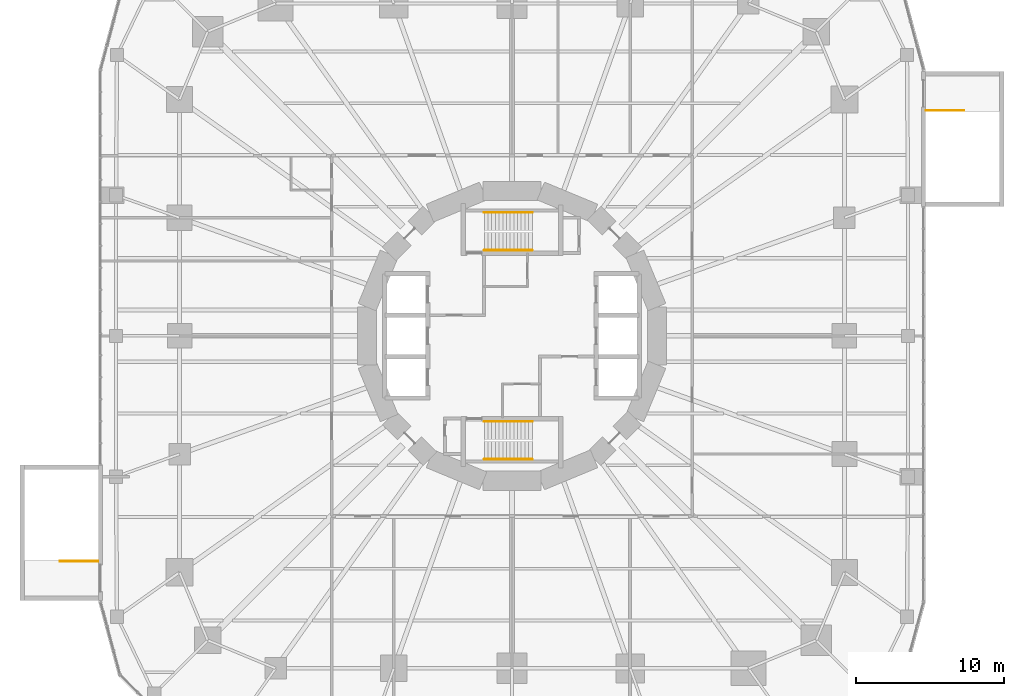
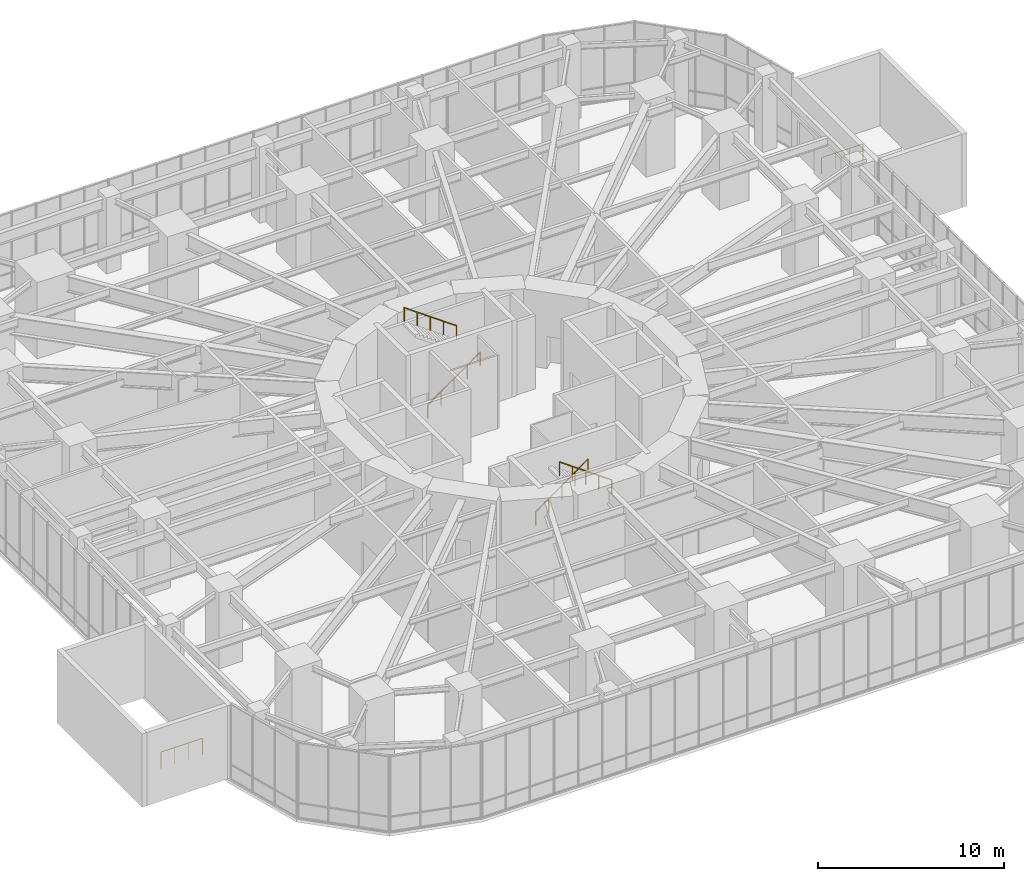
# One storey, part 24 of 24: 6 railings.
"""IFC4 building model written with IfcOpenShell, lengths in metres."""

from ifc_helpers import new_model, si_unit, direction, frame, origin, origin_2d, place, context, subcontext, project, spatial, circle, extrude, material, type_object, element, save


model = new_model("IFC4")

# Units and contexts
model_context = context("Model", 3, precision=1e-05, world=origin(), true_north=direction((0.0, 1.0)))
body_context = subcontext(model_context, "Body", "Model", "MODEL_VIEW")
ifc_project = project(units=[si_unit("LENGTHUNIT", "METRE"), si_unit("AREAUNIT", "SQUARE_METRE"), si_unit("VOLUMEUNIT", "CUBIC_METRE"), si_unit("PLANEANGLEUNIT", "RADIAN"), si_unit("MASSUNIT", "GRAM", prefix="KILO")], contexts=[model_context])

# Site, building, storey
site_placement = place(None, origin())
site = spatial("IfcSite", under=ifc_project, at=site_placement, CompositionType="ELEMENT")
building_placement = place(site_placement, origin())
building = spatial("IfcBuilding", under=site, at=building_placement, Name="Nakasero Lantern House", CompositionType="ELEMENT")
storey_placement = place(building_placement, frame((0.0, 0.0, 11.0)))
storey = spatial("IfcBuildingStorey", under=building, at=storey_placement, Name="L02", CompositionType="ELEMENT", Elevation=11.0)

# Railings
ifc_material_1 = material(Name="Stainless steel 316", Category="steel")
railing_type_1 = type_object("IfcRailingType", Name="Stair guard 1100", PredefinedType="GUARDRAIL", material=ifc_material_1)
railing_1_placement = place(storey_placement, frame((28.02001953125, 15.25, 0.0)))
element("IfcRailing", 1, at=railing_1_placement, inside=storey, type_object=railing_type_1, Name="Top landing guard PS1", PredefinedType="GUARDRAIL", context=body_context, shape_type="SweptSolid", body=[
    extrude(circle(Radius=0.02392578125, at=origin_2d()), frame((0.0, 0.0, 1.076171875), z_axis=(1.0, 0.0, 0.0), x_axis=(0.0, 1.0, 0.0)), (0.0, 0.0, 1.0), 2.580078125),
    extrude(circle(Radius=0.02099609375, at=origin_2d()), origin(), (0.0, 0.0, 1.0), 1.052001953125),
    extrude(circle(Radius=0.02099609375, at=origin_2d()), frame((0.860107421875, 0.0, 0.0)), (0.0, 0.0, 1.0), 1.052001953125),
    extrude(circle(Radius=0.02099609375, at=origin_2d()), frame((1.719970703125, 0.0, 0.0)), (0.0, 0.0, 1.0), 1.052001953125),
    extrude(circle(Radius=0.02099609375, at=origin_2d()), frame((2.580078125, 0.0, 0.0)), (0.0, 0.0, 1.0), 1.052001953125),
])
railing_2_placement = place(storey_placement, frame((-28.02001953125, -15.25, 0.0)))
element("IfcRailing", 2, at=railing_2_placement, inside=storey, type_object=railing_type_1, Name="Top landing guard PS2", PredefinedType="GUARDRAIL", context=body_context, shape_type="SweptSolid", body=[
    extrude(circle(Radius=0.02392578125, at=origin_2d()), frame((0.0, 0.0, 1.076171875), z_axis=(-1.0, 0.0, 0.0), x_axis=(0.0, -1.0, 0.0)), (0.0, 0.0, 1.0), 2.580078125),
    extrude(circle(Radius=0.02099609375, at=origin_2d()), origin(), (0.0, 0.0, 1.0), 1.052001953125),
    extrude(circle(Radius=0.02099609375, at=origin_2d()), frame((-0.860107421875, 0.0, 0.0)), (0.0, 0.0, 1.0), 1.052001953125),
    extrude(circle(Radius=0.02099609375, at=origin_2d()), frame((-1.719970703125, 0.0, 0.0)), (0.0, 0.0, 1.0), 1.052001953125),
    extrude(circle(Radius=0.02099609375, at=origin_2d()), frame((-2.580078125, 0.0, 0.0)), (0.0, 0.0, 1.0), 1.052001953125),
])
ifc_material_2 = material(Name="Stainless steel 316", Category="steel")
railing_type_2 = type_object("IfcRailingType", Name="Stair handrail 900", PredefinedType="HANDRAIL", material=ifc_material_2)
railing_3_placement = place(storey_placement, frame((-1.875, 5.800048828125, 0.178466796875)))
element("IfcRailing", 3, at=railing_3_placement, inside=storey, type_object=railing_type_2, Name="Handrail ST1 L02 flight 1", PredefinedType="HANDRAIL", context=body_context, shape_type="SweptSolid", body=[
    extrude(circle(Radius=0.02392578125, at=origin_2d()), frame((0.0, 0.0, 0.8759765625), z_axis=(0.813721080437, 0.0, 0.581255540405), x_axis=(0.0, 1.0, 0.0)), (0.0, 0.0, 1.0), 3.993896484375),
    extrude(circle(Radius=0.02099609375, at=origin_2d()), origin(), (0.0, 0.0, 1.0), 0.851806640625),
    extrude(circle(Radius=0.02099609375, at=origin_2d()), frame((0.8125, 0.0, 0.580322265625)), (0.0, 0.0, 1.0), 0.851806640625),
    extrude(circle(Radius=0.02099609375, at=origin_2d()), frame((1.625, 0.0, 1.16064453125)), (0.0, 0.0, 1.0), 0.851806640625),
    extrude(circle(Radius=0.02099609375, at=origin_2d()), frame((2.4375, 0.0, 1.7412109375)), (0.0, 0.0, 1.0), 0.851806640625),
    extrude(circle(Radius=0.02099609375, at=origin_2d()), frame((3.25, 0.0, 2.321533203125)), (0.0, 0.0, 1.0), 0.851806640625),
])
railing_4_placement = place(storey_placement, frame((1.375, 8.35009765625, 2.678466796875)))
element("IfcRailing", 4, at=railing_4_placement, inside=storey, type_object=railing_type_2, Name="Handrail ST1 L02 flight 2", PredefinedType="HANDRAIL", context=body_context, shape_type="SweptSolid", body=[
    extrude(circle(Radius=0.02392578125, at=origin_2d()), frame((0.0, 0.0, 0.8759765625), z_axis=(-0.813721080437, 0.0, 0.581255540405), x_axis=(0.0, -1.0, 0.0)), (0.0, 0.0, 1.0), 3.993896484375),
    extrude(circle(Radius=0.02099609375, at=origin_2d()), origin(), (0.0, 0.0, 1.0), 0.851806640625),
    extrude(circle(Radius=0.02099609375, at=origin_2d()), frame((-0.8125, 0.0, 0.580322265625)), (0.0, 0.0, 1.0), 0.851806640625),
    extrude(circle(Radius=0.02099609375, at=origin_2d()), frame((-1.625, 0.0, 1.16064453125)), (0.0, 0.0, 1.0), 0.851806640625),
    extrude(circle(Radius=0.02099609375, at=origin_2d()), frame((-2.4375, 0.0, 1.7412109375)), (0.0, 0.0, 1.0), 0.851806640625),
    extrude(circle(Radius=0.02099609375, at=origin_2d()), frame((-3.25, 0.0, 2.321533203125)), (0.0, 0.0, 1.0), 0.851806640625),
])
railing_5_placement = place(storey_placement, frame((-1.875, -5.800048828125, 0.178466796875)))
element("IfcRailing", 5, at=railing_5_placement, inside=storey, type_object=railing_type_2, Name="Handrail ST2 L02 flight 1", PredefinedType="HANDRAIL", context=body_context, shape_type="SweptSolid", body=[
    extrude(circle(Radius=0.02392578125, at=origin_2d()), frame((0.0, 0.0, 0.8759765625), z_axis=(0.813721080437, 0.0, 0.581255540405), x_axis=(0.0, 1.0, 0.0)), (0.0, 0.0, 1.0), 3.993896484375),
    extrude(circle(Radius=0.02099609375, at=origin_2d()), origin(), (0.0, 0.0, 1.0), 0.851806640625),
    extrude(circle(Radius=0.02099609375, at=origin_2d()), frame((0.8125, 0.0, 0.580322265625)), (0.0, 0.0, 1.0), 0.851806640625),
    extrude(circle(Radius=0.02099609375, at=origin_2d()), frame((1.625, 0.0, 1.16064453125)), (0.0, 0.0, 1.0), 0.851806640625),
    extrude(circle(Radius=0.02099609375, at=origin_2d()), frame((2.4375, 0.0, 1.7412109375)), (0.0, 0.0, 1.0), 0.851806640625),
    extrude(circle(Radius=0.02099609375, at=origin_2d()), frame((3.25, 0.0, 2.321533203125)), (0.0, 0.0, 1.0), 0.851806640625),
])
railing_6_placement = place(storey_placement, frame((1.375, -8.35009765625, 2.678466796875)))
element("IfcRailing", 6, at=railing_6_placement, inside=storey, type_object=railing_type_2, Name="Handrail ST2 L02 flight 2", PredefinedType="HANDRAIL", context=body_context, shape_type="SweptSolid", body=[
    extrude(circle(Radius=0.02392578125, at=origin_2d()), frame((0.0, 0.0, 0.8759765625), z_axis=(-0.813721080437, 0.0, 0.581255540405), x_axis=(0.0, -1.0, 0.0)), (0.0, 0.0, 1.0), 3.993896484375),
    extrude(circle(Radius=0.02099609375, at=origin_2d()), origin(), (0.0, 0.0, 1.0), 0.851806640625),
    extrude(circle(Radius=0.02099609375, at=origin_2d()), frame((-0.8125, 0.0, 0.580322265625)), (0.0, 0.0, 1.0), 0.851806640625),
    extrude(circle(Radius=0.02099609375, at=origin_2d()), frame((-1.625, 0.0, 1.16064453125)), (0.0, 0.0, 1.0), 0.851806640625),
    extrude(circle(Radius=0.02099609375, at=origin_2d()), frame((-2.4375, 0.0, 1.7412109375)), (0.0, 0.0, 1.0), 0.851806640625),
    extrude(circle(Radius=0.02099609375, at=origin_2d()), frame((-3.25, 0.0, 2.321533203125)), (0.0, 0.0, 1.0), 0.851806640625),
])

save(model, "model.ifc")
